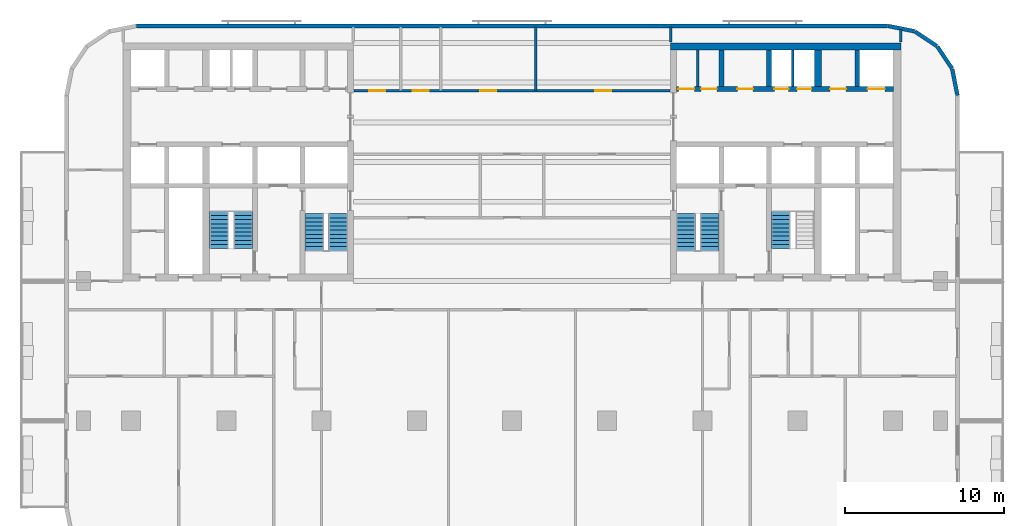
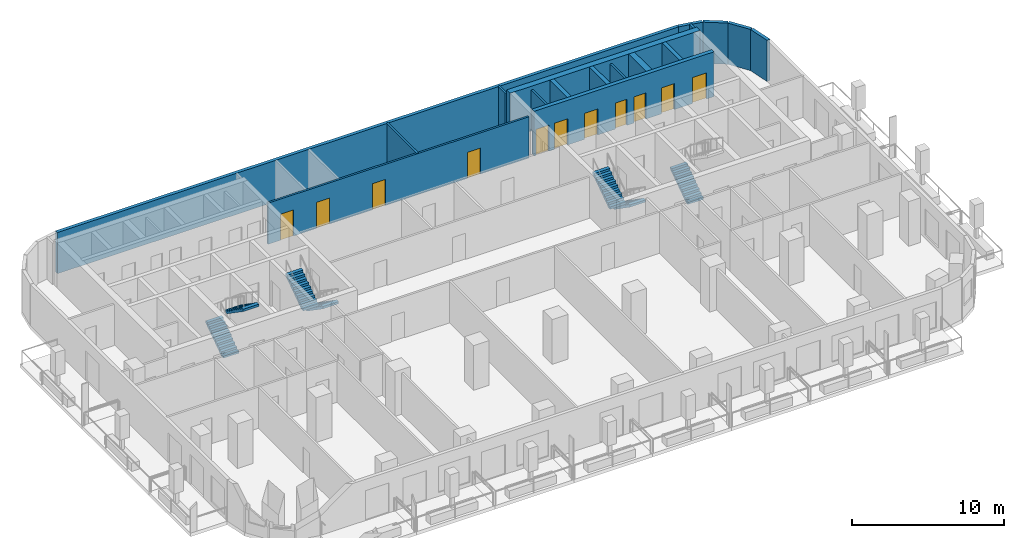
# One storey, part 7 of 11: 17 walls, 11 doors, 7 stair flights, 11 openings, 4 elements without a shape of their own.
"""IFC4 building model written with IfcOpenShell, lengths in metres."""

from ifc_helpers import new_model, si_unit, direction, frame, frame_2d, origin, place, context, subcontext, project, spatial, polyline, rectangle, outline, extrude, material, layer, layer_set, type_object, element, fill, aggregate, save


model = new_model("IFC4")

# Units and contexts
model_context = context("Model", 3, precision=1e-05, world=origin(), true_north=direction((0.0, 1.0)))
body_context = subcontext(model_context, "Body", "Model", "MODEL_VIEW")
ifc_project = project(units=[si_unit("LENGTHUNIT", "METRE"), si_unit("AREAUNIT", "SQUARE_METRE"), si_unit("VOLUMEUNIT", "CUBIC_METRE"), si_unit("PLANEANGLEUNIT", "RADIAN"), si_unit("MASSUNIT", "GRAM", prefix="KILO")], contexts=[model_context])

# Site, building, storey
site_placement = place(None, origin())
site = spatial("IfcSite", under=ifc_project, at=site_placement, CompositionType="ELEMENT")
building_placement = place(site_placement, origin())
building = spatial("IfcBuilding", under=site, at=building_placement, Name="Torana Hotel and Residences", CompositionType="ELEMENT")
storey_placement = place(building_placement, frame((0.0, 0.0, 152.39990234375)))
storey = spatial("IfcBuildingStorey", under=building, at=storey_placement, Name="L39", CompositionType="ELEMENT", Elevation=152.39990234375)

# Wall, openings, doors
ifc_material_1 = material(Name="Concrete C70/85", Category="concrete")
ifc_layer_1 = layer(ifc_material_1, 0.300048828125)
ifc_layer_set_1 = layer_set([ifc_layer_1], Name="CORE WALL 300 C70/85")
wall_type_1 = type_object("IfcWallType", Name="CORE WALL 300 C70/85", PredefinedType="SHEAR", material=ifc_layer_set_1)
wall_1_placement = place(storey_placement, frame((10.35009765625, -2.89990234375, 0.0), z_axis=(0.0, 0.0, 1.0), x_axis=(1.0, 0.0, 0.0)))
wall_1 = element("IfcWall", 1, at=wall_1_placement, inside=storey, type_object=wall_type_1, Name="Core wall E row-N", PredefinedType="SHEAR", context=body_context, shape_type="SweptSolid", body=[
    extrude(rectangle(XDim=13.699951171875, YDim=0.300048828125, at=frame_2d((6.85009765625, 0.0))), origin(), (0.0, 0.0, 1.0), 3.60009765625),
])
opening_1_placement = place(wall_1_placement, frame((12.050048828125, 0.0, 0.0)))
opening_1 = element("IfcOpeningElement", 2, at=opening_1_placement, cuts=wall_1, Name="Opening LD", PredefinedType="OPENING", context=body_context, shape_type="SweptSolid", body=[
    extrude(rectangle(XDim=1.10009765625, YDim=2.10009765625, at=frame_2d((0.550048828125, 1.050048828125))), frame((0.0, 0.159912109375, 0.0), z_axis=(0.0, -1.0, 0.0), x_axis=(1.0, 0.0, 0.0)), (0.0, 0.0, 1.0), 0.320068359375),
])
opening_2_placement = place(wall_1_placement, frame((6.1875, 0.0, 0.0)))
opening_2 = element("IfcOpeningElement", 3, at=opening_2_placement, cuts=wall_1, Name="Opening L39-23", PredefinedType="OPENING", context=body_context, shape_type="SweptSolid", body=[
    extrude(rectangle(XDim=0.89990234375, YDim=2.10009765625, at=frame_2d((0.449951171875, 1.050048828125))), frame((0.0, 0.159912109375, 0.0), z_axis=(0.0, -1.0, 0.0), x_axis=(1.0, 0.0, 0.0)), (0.0, 0.0, 1.0), 0.320068359375),
])
opening_3_placement = place(wall_1_placement, frame((7.612548828125, 0.0, 0.0)))
opening_3 = element("IfcOpeningElement", 4, at=opening_3_placement, cuts=wall_1, Name="Opening L39-24", PredefinedType="OPENING", context=body_context, shape_type="SweptSolid", body=[
    extrude(rectangle(XDim=0.89990234375, YDim=2.10009765625, at=frame_2d((0.449951171875, 1.050048828125))), frame((0.0, 0.159912109375, 0.0), z_axis=(0.0, -1.0, 0.0), x_axis=(1.0, 0.0, 0.0)), (0.0, 0.0, 1.0), 0.320068359375),
])
opening_4_placement = place(wall_1_placement, frame((0.137451171875, 0.0, 0.0)))
opening_4 = element("IfcOpeningElement", 5, at=opening_4_placement, cuts=wall_1, Name="Opening L39-25", PredefinedType="OPENING", context=body_context, shape_type="SweptSolid", body=[
    extrude(rectangle(XDim=1.0, YDim=2.10009765625, at=frame_2d((0.5, 1.050048828125))), frame((0.0, 0.159912109375, 0.0), z_axis=(0.0, -1.0, 0.0), x_axis=(1.0, 0.0, 0.0)), (0.0, 0.0, 1.0), 0.320068359375),
])
opening_5_placement = place(wall_1_placement, frame((1.5625, 0.0, 0.0)))
opening_5 = element("IfcOpeningElement", 6, at=opening_5_placement, cuts=wall_1, Name="Opening L39-26", PredefinedType="OPENING", context=body_context, shape_type="SweptSolid", body=[
    extrude(rectangle(XDim=1.0, YDim=2.10009765625, at=frame_2d((0.5, 1.050048828125))), frame((0.0, 0.159912109375, 0.0), z_axis=(0.0, -1.0, 0.0), x_axis=(1.0, 0.0, 0.0)), (0.0, 0.0, 1.0), 0.320068359375),
])
opening_6_placement = place(wall_1_placement, frame((3.85009765625, 0.0, 0.0)))
opening_6 = element("IfcOpeningElement", 7, at=opening_6_placement, cuts=wall_1, Name="Opening L39-27", PredefinedType="OPENING", context=body_context, shape_type="SweptSolid", body=[
    extrude(rectangle(XDim=1.0, YDim=2.10009765625, at=frame_2d((0.5, 1.050048828125))), frame((0.0, 0.159912109375, 0.0), z_axis=(0.0, -1.0, 0.0), x_axis=(1.0, 0.0, 0.0)), (0.0, 0.0, 1.0), 0.320068359375),
])
opening_7_placement = place(wall_1_placement, frame((9.699951171875, 0.0, 0.0)))
opening_7 = element("IfcOpeningElement", 8, at=opening_7_placement, cuts=wall_1, Name="Opening L39-28", PredefinedType="OPENING", context=body_context, shape_type="SweptSolid", body=[
    extrude(rectangle(XDim=1.0, YDim=2.10009765625, at=frame_2d((0.5, 1.050048828125))), frame((0.0, 0.159912109375, 0.0), z_axis=(0.0, -1.0, 0.0), x_axis=(1.0, 0.0, 0.0)), (0.0, 0.0, 1.0), 0.320068359375),
])
ifc_material_2 = material(Name="Steel S235", Category="steel")
door_type_1 = type_object("IfcDoorType", Name="CORE ROOM FIRE DOOR D14 1000x2100", OperationType="SINGLE_SWING_LEFT", PredefinedType="DOOR", material=ifc_material_2)
door_1_placement = place(opening_4_placement, origin())
door_1 = element("IfcDoor", 9, at=door_1_placement, inside=storey, type_object=door_type_1, Name="N0A door L39", OperationType="SINGLE_SWING_RIGHT", OverallHeight=2.10009765625, OverallWidth=1.0, PredefinedType="DOOR", context=body_context, shape_type="SweptSolid", body=[
    extrude(rectangle(XDim=1.0, YDim=2.10009765625, at=frame_2d((0.5, 1.050048828125))), frame((0.0, 0.02490234375, 0.0), z_axis=(0.0, -1.0, 0.0), x_axis=(1.0, 0.0, 0.0)), (0.0, 0.0, 1.0), 0.050048828125),
])
fill(opening_4, door_1)
door_2_placement = place(opening_5_placement, origin())
door_2 = element("IfcDoor", 10, at=door_2_placement, inside=storey, type_object=door_type_1, Name="N0B door L39", OperationType="SINGLE_SWING_RIGHT", OverallHeight=2.10009765625, OverallWidth=1.0, PredefinedType="DOOR", context=body_context, shape_type="SweptSolid", body=[
    extrude(rectangle(XDim=1.0, YDim=2.10009765625, at=frame_2d((0.5, 1.050048828125))), frame((0.0, 0.02490234375, 0.0), z_axis=(0.0, -1.0, 0.0), x_axis=(1.0, 0.0, 0.0)), (0.0, 0.0, 1.0), 0.050048828125),
])
fill(opening_5, door_2)
door_3_placement = place(opening_6_placement, origin())
door_3 = element("IfcDoor", 11, at=door_3_placement, inside=storey, type_object=door_type_1, Name="N1 door L39", OperationType="SINGLE_SWING_RIGHT", OverallHeight=2.10009765625, OverallWidth=1.0, PredefinedType="DOOR", context=body_context, shape_type="SweptSolid", body=[
    extrude(rectangle(XDim=1.0, YDim=2.10009765625, at=frame_2d((0.5, 1.050048828125))), frame((0.0, 0.02490234375, 0.0), z_axis=(0.0, -1.0, 0.0), x_axis=(1.0, 0.0, 0.0)), (0.0, 0.0, 1.0), 0.050048828125),
])
fill(opening_6, door_3)
door_4_placement = place(opening_7_placement, origin())
door_4 = element("IfcDoor", 12, at=door_4_placement, inside=storey, type_object=door_type_1, Name="Freed-S2 door L39", OperationType="SINGLE_SWING_RIGHT", OverallHeight=2.10009765625, OverallWidth=1.0, PredefinedType="DOOR", context=body_context, shape_type="SweptSolid", body=[
    extrude(rectangle(XDim=1.0, YDim=2.10009765625, at=frame_2d((0.5, 1.050048828125))), frame((0.0, 0.02490234375, 0.0), z_axis=(0.0, -1.0, 0.0), x_axis=(1.0, 0.0, 0.0)), (0.0, 0.0, 1.0), 0.050048828125),
])
fill(opening_7, door_4)
ifc_material_3 = material(Name="Stainless steel 316", Category="steel")
door_type_2 = type_object("IfcDoorType", Name="LIFT LANDING DOOR LD 1100x2100", OperationType="DOUBLE_DOOR_SLIDING", PredefinedType="USERDEFINED", material=ifc_material_3)
door_5_placement = place(opening_1_placement, origin())
door_5 = element("IfcDoor", 13, at=door_5_placement, inside=storey, type_object=door_type_2, Name="Lift landing door M3 L39", ObjectType="LIFT LANDING DOOR", OperationType="DOUBLE_DOOR_SLIDING", OverallHeight=2.10009765625, OverallWidth=1.10009765625, PredefinedType="USERDEFINED", context=body_context, shape_type="SweptSolid", body=[
    extrude(rectangle(XDim=1.10009765625, YDim=2.10009765625, at=frame_2d((0.550048828125, 1.050048828125))), frame((0.0, 0.02490234375, 0.0), z_axis=(0.0, -1.0, 0.0), x_axis=(1.0, 0.0, 0.0)), (0.0, 0.0, 1.0), 0.050048828125),
])
fill(opening_1, door_5)
ifc_material_4 = material(Name="Steel S235", Category="steel")
door_type_3 = type_object("IfcDoorType", Name="RISER ACCESS DOOR D5 900x2100", OperationType="SINGLE_SWING_LEFT", PredefinedType="DOOR", material=ifc_material_4)
door_6_placement = place(opening_2_placement, origin())
door_6 = element("IfcDoor", 14, at=door_6_placement, inside=storey, type_object=door_type_3, Name="N2A door L39", OperationType="SINGLE_SWING_RIGHT", OverallHeight=2.10009765625, OverallWidth=0.89990234375, PredefinedType="DOOR", context=body_context, shape_type="SweptSolid", body=[
    extrude(rectangle(XDim=0.89990234375, YDim=2.10009765625, at=frame_2d((0.449951171875, 1.050048828125))), frame((0.0, 0.02490234375, 0.0), z_axis=(0.0, -1.0, 0.0), x_axis=(1.0, 0.0, 0.0)), (0.0, 0.0, 1.0), 0.050048828125),
])
fill(opening_2, door_6)
door_7_placement = place(opening_3_placement, origin())
door_7 = element("IfcDoor", 15, at=door_7_placement, inside=storey, type_object=door_type_3, Name="N2B door L39", OperationType="SINGLE_SWING_RIGHT", OverallHeight=2.10009765625, OverallWidth=0.89990234375, PredefinedType="DOOR", context=body_context, shape_type="SweptSolid", body=[
    extrude(rectangle(XDim=0.89990234375, YDim=2.10009765625, at=frame_2d((0.449951171875, 1.050048828125))), frame((0.0, 0.02490234375, 0.0), z_axis=(0.0, -1.0, 0.0), x_axis=(1.0, 0.0, 0.0)), (0.0, 0.0, 1.0), 0.050048828125),
])
fill(opening_3, door_7)

# Walls
for number, where, z_axis, x_axis, name in (
    (16, (13.199951171875, -2.75, 0.0), (0.0, 0.0, 1.0), (0.0, 1.0, 0.0), "Core wall E x3.05-N"),
    (17, (16.199951171875, -2.75, 0.0), (0.0, 0.0, 1.0), (0.0, 1.0, 0.0), "Core wall E x6.05-N"),
    (18, (21.75, -2.75, 0.0), (0.0, 0.0, 1.0), (0.0, 1.0, 0.0), "Core wall E mm-N"),
):
    element("IfcWall", number, at=place(storey_placement, frame(where, z_axis=z_axis, x_axis=x_axis)), inside=storey, type_object=wall_type_1, Name=name, PredefinedType="SHEAR", context=body_context, shape_type="SweptSolid", body=[
        extrude(rectangle(XDim=2.300048828125, YDim=0.300048828125, at=frame_2d((1.14990234375, 0.0))), origin(), (0.0, 0.0, 1.0), 3.60009765625),
    ])
ifc_material_5 = material(Name="Concrete C70/85", Category="concrete")
ifc_layer_2 = layer(ifc_material_5, 0.449951171875)
ifc_layer_set_2 = layer_set([ifc_layer_2], Name="CORE WALL 450 C70/85")
wall_type_2 = type_object("IfcWallType", Name="CORE WALL 450 C70/85", PredefinedType="SHEAR", material=ifc_layer_set_2)
wall_2_placement = place(storey_placement, frame((10.0, -0.22509765625, 0.0), z_axis=(0.0, 0.0, 1.0), x_axis=(1.0, 0.0, 0.0)))
element("IfcWall", 19, at=wall_2_placement, inside=storey, type_object=wall_type_2, Name="Core wall E rear", PredefinedType="SHEAR", context=body_context, shape_type="SweptSolid", body=[
    extrude(rectangle(XDim=14.5, YDim=0.449951171875, at=frame_2d((7.25, 0.0))), origin(), (0.0, 0.0, 1.0), 3.60009765625),
])
wall_3_placement = place(storey_placement, frame((19.27490234375, -2.75, 0.0), z_axis=(0.0, 0.0, 1.0), x_axis=(0.0, 1.0, 0.0)))
element("IfcWall", 20, at=wall_3_placement, inside=storey, type_object=wall_type_2, Name="Core wall E hm-N", PredefinedType="SHEAR", context=body_context, shape_type="SweptSolid", body=[
    extrude(rectangle(XDim=2.300048828125, YDim=0.449951171875, at=frame_2d((1.14990234375, 0.0))), origin(), (0.0, 0.0, 1.0), 3.60009765625),
])
ifc_material_6 = material(Name="Black aluminium composite panel", Category="aluminium")
ifc_layer_3 = layer(ifc_material_6, 0.00390625, Name="Cladding", Category="cladding")
ifc_material_7 = material(Name="Ventilated air cavity")
ifc_layer_4 = layer(ifc_material_7, 0.0400390625, Name="Ventilated cavity", Category="cavity")
ifc_material_8 = material(Name="Mineral wool insulation")
ifc_layer_5 = layer(ifc_material_8, 0.090087890625, Name="Insulation", Category="insulation")
ifc_material_9 = material(Name="Steel S280GD", Category="steel")
ifc_layer_6 = layer(ifc_material_9, 0.092041015625, Name="Steel stud frame", Category="structure")
ifc_material_10 = material(Name="Fire rated plasterboard")
ifc_layer_7 = layer(ifc_material_10, 0.011962890625, Name="Inner board", Category="finish")
ifc_layer_8 = layer(ifc_material_10, 0.011962890625, Name="Second board", Category="finish")
ifc_layer_set_3 = layer_set([ifc_layer_3, ifc_layer_4, ifc_layer_5, ifc_layer_6, ifc_layer_7, ifc_layer_8], Name="EW1 EXTERNAL WALL BLACK METAL CLAD 250")
wall_type_3 = type_object("IfcWallType", Name="EW1 EXTERNAL WALL BLACK METAL CLAD 250", PredefinedType="SOLIDWALL", material=ifc_layer_set_3)
wall_4_placement = place(storey_placement, frame((28.072509765625, -3.30029296875, 0.0), z_axis=(0.0, 0.0, 1.0), x_axis=(-0.194999110559, 0.980803419081, 0.0)))
element("IfcWall", 21, at=wall_4_placement, inside=storey, type_object=wall_type_3, Name="External wall L39 e0.0", PredefinedType="SOLIDWALL", context=body_context, shape_type="SweptSolid", body=[
    extrude(rectangle(XDim=1.681396484375, YDim=0.25, at=frame_2d((0.8408203125, 0.0))), origin(), (0.0, 0.0, 1.0), 3.320068359375),
])
for number, where, z_axis, x_axis, name in (
    (22, (27.725830078125, -1.60595703125, 0.0), (0.0, 0.0, 1.0), (-0.55555029066, 0.831482937015, 0.0), "External wall L39 e0.1"),
    (23, (26.771240234375, -0.1943359375, 0.0), (0.0, 0.0, 1.0), (-0.831482937015, 0.55555029066, 0.0), "External wall L39 e0.2"),
):
    element("IfcWall", number, at=place(storey_placement, frame(where, z_axis=z_axis, x_axis=x_axis)), inside=storey, type_object=wall_type_3, Name=name, PredefinedType="SOLIDWALL", context=body_context, shape_type="SweptSolid", body=[
        extrude(rectangle(XDim=1.65625, YDim=0.25, at=frame_2d((0.828125, 0.0))), origin(), (0.0, 0.0, 1.0), 3.320068359375),
    ])
wall_5_placement = place(storey_placement, frame((25.348876953125, 0.74462890625, 0.0), z_axis=(0.0, 0.0, 1.0), x_axis=(-0.980803419081, 0.194999110559, 0.0)))
element("IfcWall", 24, at=wall_5_placement, inside=storey, type_object=wall_type_3, Name="External wall L39 e0.3", PredefinedType="SOLIDWALL", context=body_context, shape_type="SweptSolid", body=[
    extrude(rectangle(XDim=1.681396484375, YDim=0.25, at=frame_2d((0.8408203125, 0.0))), origin(), (0.0, 0.0, 1.0), 3.320068359375),
])
ifc_material_11 = material(Name="Concrete C40/50 precast", Category="concrete")
ifc_layer_9 = layer(ifc_material_11, 0.10009765625, Name="Perforated block", Category="cladding")
ifc_material_12 = material(Name="Air cavity")
ifc_layer_10 = layer(ifc_material_12, 0.030029296875, Name="Cavity", Category="cavity")
ifc_material_13 = material(Name="Concrete C40/50", Category="concrete")
ifc_layer_11 = layer(ifc_material_13, 0.10009765625, Name="Wall", Category="structure")
ifc_material_14 = material(Name="Plaster and paint")
ifc_layer_12 = layer(ifc_material_14, 0.02001953125, Name="Inner finish", Category="finish")
ifc_layer_set_4 = layer_set([ifc_layer_9, ifc_layer_10, ifc_layer_11, ifc_layer_12], Name="EW2 PERFORATED BLOCK SCREEN WALL 250")
wall_type_4 = type_object("IfcWallType", Name="EW2 PERFORATED BLOCK SCREEN WALL 250", PredefinedType="SOLIDWALL", material=ifc_layer_set_4)
wall_6_placement = place(storey_placement, frame((23.67529296875, 1.074951171875, 0.0), z_axis=(0.0, 0.0, 1.0), x_axis=(-1.0, 0.0, 0.0)))
element("IfcWall", 25, at=wall_6_placement, inside=storey, type_object=wall_type_4, Name="External wall L39 e0.4", PredefinedType="SOLIDWALL", context=body_context, shape_type="SweptSolid", body=[
    extrude(rectangle(XDim=47.3505859375, YDim=0.25, at=frame_2d((23.67529296875, 0.0))), origin(), (0.0, 0.0, 1.0), 3.320068359375),
])
ifc_material_15 = material(Name="Gypsum plaster")
ifc_layer_13 = layer(ifc_material_15, 0.014892578125, Name="Plaster", Category="finish")
ifc_material_16 = material(Name="Concrete blockwork", Category="masonry")
ifc_layer_14 = layer(ifc_material_16, 0.1201171875, Name="Blockwork", Category="structure")
ifc_layer_15 = layer(ifc_material_15, 0.014892578125, Name="Plaster", Category="finish")
ifc_layer_set_5 = layer_set([ifc_layer_13, ifc_layer_14, ifc_layer_15], Name="FIRE PARTITION 150 BLOCKWORK")
wall_type_5 = type_object("IfcWallType", Name="FIRE PARTITION 150 BLOCKWORK", PredefinedType="PARTITIONING", material=ifc_layer_set_5)
for number, where, z_axis, x_axis, name in (
    (26, (17.699951171875, -2.75, 0.0), (0.0, 0.0, 1.0), (0.0, 1.0, 0.0), "Core partition L39"),
    (27, (11.699951171875, -2.75, 0.0), (0.0, 0.0, 1.0), (0.0, 1.0, 0.0), "Core partition L39"),
):
    element("IfcWall", number, at=place(storey_placement, frame(where, z_axis=z_axis, x_axis=x_axis)), inside=storey, type_object=wall_type_5, Name=name, PredefinedType="PARTITIONING", context=body_context, shape_type="SweptSolid", body=[
        extrude(rectangle(XDim=2.300048828125, YDim=0.14990234375, at=frame_2d((1.14990234375, 0.0))), origin(), (0.0, 0.0, 1.0), 3.300048828125),
    ])

# Wall, openings, doors
wall_7_placement = place(storey_placement, frame((-9.949951171875, -3.0, 0.0), z_axis=(0.0, 0.0, 1.0), x_axis=(1.0, 0.0, 0.0)))
wall_7 = element("IfcWall", 28, at=wall_7_placement, inside=storey, type_object=wall_type_5, Name="Partition L39", PredefinedType="PARTITIONING", context=body_context, shape_type="SweptSolid", body=[
    extrude(rectangle(XDim=19.89990234375, YDim=0.14990234375, at=frame_2d((9.949951171875, 0.0))), origin(), (0.0, 0.0, 1.0), 3.320068359375),
])
opening_8_placement = place(wall_7_placement, frame((0.949951171875, 0.0, 0.0)))
opening_8 = element("IfcOpeningElement", 29, at=opening_8_placement, cuts=wall_7, Name="Opening L39-48", PredefinedType="OPENING", context=body_context, shape_type="SweptSolid", body=[
    extrude(rectangle(XDim=1.0, YDim=2.10009765625, at=frame_2d((0.5, 1.050048828125))), frame((0.0, 0.0849609375, 0.0), z_axis=(0.0, -1.0, 0.0), x_axis=(1.0, 0.0, 0.0)), (0.0, 0.0, 1.0), 0.169921875),
])
opening_9_placement = place(wall_7_placement, frame((3.699951171875, 0.0, 0.0)))
opening_9 = element("IfcOpeningElement", 30, at=opening_9_placement, cuts=wall_7, Name="Opening L39-49", PredefinedType="OPENING", context=body_context, shape_type="SweptSolid", body=[
    extrude(rectangle(XDim=1.0, YDim=2.10009765625, at=frame_2d((0.5, 1.050048828125))), frame((0.0, 0.0849609375, 0.0), z_axis=(0.0, -1.0, 0.0), x_axis=(1.0, 0.0, 0.0)), (0.0, 0.0, 1.0), 0.169921875),
])
opening_10_placement = place(wall_7_placement, frame((7.949951171875, 0.0, 0.0)))
opening_10 = element("IfcOpeningElement", 31, at=opening_10_placement, cuts=wall_7, Name="Opening L39-50", PredefinedType="OPENING", context=body_context, shape_type="SweptSolid", body=[
    extrude(rectangle(XDim=1.0, YDim=2.10009765625, at=frame_2d((0.5, 1.050048828125))), frame((0.0, 0.0849609375, 0.0), z_axis=(0.0, -1.0, 0.0), x_axis=(1.0, 0.0, 0.0)), (0.0, 0.0, 1.0), 0.169921875),
])
opening_11_placement = place(wall_7_placement, frame((15.199951171875, 0.0, 0.0)))
opening_11 = element("IfcOpeningElement", 32, at=opening_11_placement, cuts=wall_7, Name="Opening L39-51", PredefinedType="OPENING", context=body_context, shape_type="SweptSolid", body=[
    extrude(rectangle(XDim=1.0, YDim=2.10009765625, at=frame_2d((0.5, 1.050048828125))), frame((0.0, 0.0849609375, 0.0), z_axis=(0.0, -1.0, 0.0), x_axis=(1.0, 0.0, 0.0)), (0.0, 0.0, 1.0), 0.169921875),
])
ifc_material_17 = material(Name="Steel S235", Category="steel")
door_type_4 = type_object("IfcDoorType", Name="ENTRY FIRE DOOR D6 1000x2100", OperationType="SINGLE_SWING_LEFT", PredefinedType="DOOR", material=ifc_material_17)
door_8_placement = place(opening_8_placement, origin())
door_8 = element("IfcDoor", 33, at=door_8_placement, inside=storey, type_object=door_type_4, Name="Door L39", OperationType="SINGLE_SWING_RIGHT", OverallHeight=2.10009765625, OverallWidth=1.0, PredefinedType="DOOR", context=body_context, shape_type="SweptSolid", body=[
    extrude(rectangle(XDim=1.0, YDim=2.10009765625, at=frame_2d((0.5, 1.050048828125))), frame((0.0, 0.02490234375, 0.0), z_axis=(0.0, -1.0, 0.0), x_axis=(1.0, 0.0, 0.0)), (0.0, 0.0, 1.0), 0.050048828125),
])
fill(opening_8, door_8)
door_9_placement = place(opening_9_placement, origin())
door_9 = element("IfcDoor", 34, at=door_9_placement, inside=storey, type_object=door_type_4, Name="Door L39", OperationType="SINGLE_SWING_RIGHT", OverallHeight=2.10009765625, OverallWidth=1.0, PredefinedType="DOOR", context=body_context, shape_type="SweptSolid", body=[
    extrude(rectangle(XDim=1.0, YDim=2.10009765625, at=frame_2d((0.5, 1.050048828125))), frame((0.0, 0.02490234375, 0.0), z_axis=(0.0, -1.0, 0.0), x_axis=(1.0, 0.0, 0.0)), (0.0, 0.0, 1.0), 0.050048828125),
])
fill(opening_9, door_9)
door_10_placement = place(opening_10_placement, origin())
door_10 = element("IfcDoor", 35, at=door_10_placement, inside=storey, type_object=door_type_4, Name="Door L39", OperationType="SINGLE_SWING_RIGHT", OverallHeight=2.10009765625, OverallWidth=1.0, PredefinedType="DOOR", context=body_context, shape_type="SweptSolid", body=[
    extrude(rectangle(XDim=1.0, YDim=2.10009765625, at=frame_2d((0.5, 1.050048828125))), frame((0.0, 0.02490234375, 0.0), z_axis=(0.0, -1.0, 0.0), x_axis=(1.0, 0.0, 0.0)), (0.0, 0.0, 1.0), 0.050048828125),
])
fill(opening_10, door_10)
door_11_placement = place(opening_11_placement, origin())
door_11 = element("IfcDoor", 36, at=door_11_placement, inside=storey, type_object=door_type_4, Name="Door L39", OperationType="SINGLE_SWING_RIGHT", OverallHeight=2.10009765625, OverallWidth=1.0, PredefinedType="DOOR", context=body_context, shape_type="SweptSolid", body=[
    extrude(rectangle(XDim=1.0, YDim=2.10009765625, at=frame_2d((0.5, 1.050048828125))), frame((0.0, 0.02490234375, 0.0), z_axis=(0.0, -1.0, 0.0), x_axis=(1.0, 0.0, 0.0)), (0.0, 0.0, 1.0), 0.050048828125),
])
fill(opening_11, door_11)

# Walls
ifc_material_18 = material(Name="Gypsum plasterboard")
ifc_layer_16 = layer(ifc_material_18, 0.012451171875, Name="Plasterboard", Category="finish")
ifc_layer_17 = layer(ifc_material_18, 0.012451171875, Name="Plasterboard", Category="finish")
ifc_layer_18 = layer(ifc_material_9, 0.10009765625, Name="Steel studs with mineral wool", Category="insulation")
ifc_layer_19 = layer(ifc_material_18, 0.012451171875, Name="Plasterboard", Category="finish")
ifc_layer_20 = layer(ifc_material_18, 0.012451171875, Name="Plasterboard", Category="finish")
ifc_layer_set_6 = layer_set([ifc_layer_16, ifc_layer_17, ifc_layer_18, ifc_layer_19, ifc_layer_20], Name="PARTITION 150 PLASTERBOARD")
wall_type_6 = type_object("IfcWallType", Name="PARTITION 150 PLASTERBOARD", PredefinedType="PARTITIONING", material=ifc_layer_set_6)
wall_8_placement = place(storey_placement, frame((24.5, 0.050048828125, 0.0), z_axis=(0.0, 0.0, 1.0), x_axis=(0.0, 1.0, 0.0)))
element("IfcWall", 37, at=wall_8_placement, inside=storey, type_object=wall_type_6, Name="Partition L39", PredefinedType="PARTITIONING", context=body_context, shape_type="SweptSolid", body=[
    extrude(rectangle(XDim=0.807373046875, YDim=0.14990234375, at=frame_2d((0.40380859375, 0.0))), origin(), (0.0, 0.0, 1.0), 3.320068359375),
])
wall_9_placement = place(storey_placement, frame((10.0, 0.050048828125, 0.0), z_axis=(0.0, 0.0, 1.0), x_axis=(0.0, 1.0, 0.0)))
element("IfcWall", 38, at=wall_9_placement, inside=storey, type_object=wall_type_6, Name="Partition L39", PredefinedType="PARTITIONING", context=body_context, shape_type="SweptSolid", body=[
    extrude(rectangle(XDim=0.969970703125, YDim=0.14990234375, at=frame_2d((0.48486328125, 0.0))), origin(), (0.0, 0.0, 1.0), 3.320068359375),
])
wall_10_placement = place(storey_placement, frame((1.5, -3.0, 0.0), z_axis=(0.0, 0.0, 1.0), x_axis=(0.0, 1.0, 0.0)))
element("IfcWall", 39, at=wall_10_placement, inside=storey, type_object=wall_type_6, Name="Partition L39", PredefinedType="PARTITIONING", context=body_context, shape_type="SweptSolid", body=[
    extrude(rectangle(XDim=4.02001953125, YDim=0.14990234375, at=frame_2d((2.010009765625, 0.0))), origin(), (0.0, 0.0, 1.0), 3.320068359375),
])

# Stair, stair flights
ifc_material_19 = material(Name="Concrete C40/50 precast", Category="concrete")
stair_type_1 = type_object("IfcStairType", Name="STAIR ST1 HALF TURN 1200", PredefinedType="HALF_TURN_STAIR", material=ifc_material_19)
stair_1_placement = place(storey_placement, origin())
stair_1 = element("IfcStair", 40, at=stair_1_placement, inside=storey, type_object=stair_type_1, Name="Stair ST1 L39", PredefinedType="HALF_TURN_STAIR")
ifc_material_20 = material(Name="Concrete C40/50 precast", Category="concrete")
stair_flight_type = type_object("IfcStairFlightType", Name="STAIR FLIGHT 1200 PRECAST", PredefinedType="STRAIGHT", material=ifc_material_20)
stair_flight_1_placement = place(storey_placement, frame((-10.949951171875, -10.75, 0.0), z_axis=(0.0, 0.0, 1.0), x_axis=(0.0, -1.0, 0.0)))
stair_flight_1 = element("IfcStairFlight", 41, at=stair_flight_1_placement, type_object=stair_flight_type, Name="ST1 flight 1", NumberOfRisers=10, NumberOfTreads=9, PredefinedType="STRAIGHT", RiserHeight=0.18, TreadLength=0.26, context=body_context, shape_type="SweptSolid", body=[
    extrude(outline(polyline([(0.0, 0.0), (0.0, 0.179931640625), (0.260009765625, 0.179931640625), (0.260009765625, 0.360107421875), (0.52001953125, 0.360107421875), (0.52001953125, 0.5400390625), (0.780029296875, 0.5400390625), (0.780029296875, 0.719970703125), (1.0400390625, 0.719970703125), (1.0400390625, 0.89990234375), (1.300048828125, 0.89990234375), (1.300048828125, 1.080078125), (1.56005859375, 1.080078125), (1.56005859375, 1.260009765625), (1.820068359375, 1.260009765625), (1.820068359375, 1.43994140625), (2.080078125, 1.43994140625), (2.080078125, 1.6201171875), (2.340087890625, 1.6201171875), (2.340087890625, 1.800048828125), (2.340087890625, 1.437744140625), (0.263427734375, 0.0), (0.0, 0.0)])), frame((0.0, 0.60009765625, 0.0), z_axis=(0.0, -1.0, 0.0), x_axis=(1.0, 0.0, 0.0)), (0.0, 0.0, 1.0), 1.199951171875),
])
stair_flight_2_placement = place(storey_placement, frame((-12.449951171875, -13.090087890625, 1.800048828125), z_axis=(0.0, 0.0, 1.0), x_axis=(0.0, 1.0, 0.0)))
stair_flight_2 = element("IfcStairFlight", 42, at=stair_flight_2_placement, type_object=stair_flight_type, Name="ST1 flight 2", NumberOfRisers=10, NumberOfTreads=9, PredefinedType="STRAIGHT", RiserHeight=0.18, TreadLength=0.26, context=body_context, shape_type="SweptSolid", body=[
    extrude(outline(polyline([(0.0, 0.0), (0.0, 0.179931640625), (0.260009765625, 0.179931640625), (0.260009765625, 0.360107421875), (0.52001953125, 0.360107421875), (0.52001953125, 0.5400390625), (0.780029296875, 0.5400390625), (0.780029296875, 0.719970703125), (1.0400390625, 0.719970703125), (1.0400390625, 0.89990234375), (1.300048828125, 0.89990234375), (1.300048828125, 1.080078125), (1.56005859375, 1.080078125), (1.56005859375, 1.260009765625), (1.820068359375, 1.260009765625), (1.820068359375, 1.43994140625), (2.080078125, 1.43994140625), (2.080078125, 1.6201171875), (2.340087890625, 1.6201171875), (2.340087890625, 1.800048828125), (2.340087890625, 1.437744140625), (0.263427734375, 0.0), (0.0, 0.0)])), frame((0.0, 0.60009765625, 0.0), z_axis=(0.0, -1.0, 0.0), x_axis=(1.0, 0.0, 0.0)), (0.0, 0.0, 1.0), 1.199951171875),
])
aggregate(stair_1, [stair_flight_1, stair_flight_2])

ifc_material_21 = material(Name="Concrete C40/50 precast", Category="concrete")
stair_type_2 = type_object("IfcStairType", Name="STAIR ST2 HALF TURN 1200", PredefinedType="HALF_TURN_STAIR", material=ifc_material_21)
stair_2_placement = place(storey_placement, origin())
stair_2 = element("IfcStair", 43, at=stair_2_placement, inside=storey, type_object=stair_type_2, Name="Stair ST2 L39", PredefinedType="HALF_TURN_STAIR")
stair_flight_3_placement = place(storey_placement, frame((-18.449951171875, -12.949951171875, 0.0), z_axis=(0.0, 0.0, 1.0), x_axis=(0.0, 1.0, 0.0)))
stair_flight_3 = element("IfcStairFlight", 44, at=stair_flight_3_placement, type_object=stair_flight_type, Name="ST2 flight 1", NumberOfRisers=10, NumberOfTreads=9, PredefinedType="STRAIGHT", RiserHeight=0.18, TreadLength=0.26, context=body_context, shape_type="SweptSolid", body=[
    extrude(outline(polyline([(0.0, 0.0), (0.0, 0.179931640625), (0.260009765625, 0.179931640625), (0.260009765625, 0.360107421875), (0.52001953125, 0.360107421875), (0.52001953125, 0.5400390625), (0.780029296875, 0.5400390625), (0.780029296875, 0.719970703125), (1.0400390625, 0.719970703125), (1.0400390625, 0.89990234375), (1.300048828125, 0.89990234375), (1.300048828125, 1.080078125), (1.56005859375, 1.080078125), (1.56005859375, 1.260009765625), (1.820068359375, 1.260009765625), (1.820068359375, 1.43994140625), (2.080078125, 1.43994140625), (2.080078125, 1.6201171875), (2.340087890625, 1.6201171875), (2.340087890625, 1.800048828125), (2.340087890625, 1.437744140625), (0.263427734375, 0.0), (0.0, 0.0)])), frame((0.0, 0.60009765625, 0.0), z_axis=(0.0, -1.0, 0.0), x_axis=(1.0, 0.0, 0.0)), (0.0, 0.0, 1.0), 1.199951171875),
])
stair_flight_4_placement = place(storey_placement, frame((-16.949951171875, -10.610107421875, 1.800048828125), z_axis=(0.0, 0.0, 1.0), x_axis=(0.0, -1.0, 0.0)))
stair_flight_4 = element("IfcStairFlight", 45, at=stair_flight_4_placement, type_object=stair_flight_type, Name="ST2 flight 2", NumberOfRisers=10, NumberOfTreads=9, PredefinedType="STRAIGHT", RiserHeight=0.18, TreadLength=0.26, context=body_context, shape_type="SweptSolid", body=[
    extrude(outline(polyline([(0.0, 0.0), (0.0, 0.179931640625), (0.260009765625, 0.179931640625), (0.260009765625, 0.360107421875), (0.52001953125, 0.360107421875), (0.52001953125, 0.5400390625), (0.780029296875, 0.5400390625), (0.780029296875, 0.719970703125), (1.0400390625, 0.719970703125), (1.0400390625, 0.89990234375), (1.300048828125, 0.89990234375), (1.300048828125, 1.080078125), (1.56005859375, 1.080078125), (1.56005859375, 1.260009765625), (1.820068359375, 1.260009765625), (1.820068359375, 1.43994140625), (2.080078125, 1.43994140625), (2.080078125, 1.6201171875), (2.340087890625, 1.6201171875), (2.340087890625, 1.800048828125), (2.340087890625, 1.437744140625), (0.263427734375, 0.0), (0.0, 0.0)])), frame((0.0, 0.60009765625, 0.0), z_axis=(0.0, -1.0, 0.0), x_axis=(1.0, 0.0, 0.0)), (0.0, 0.0, 1.0), 1.199951171875),
])
aggregate(stair_2, [stair_flight_3, stair_flight_4])

ifc_material_22 = material(Name="Concrete C40/50 precast", Category="concrete")
stair_type_3 = type_object("IfcStairType", Name="STAIR ST3 HALF TURN 1200", PredefinedType="HALF_TURN_STAIR", material=ifc_material_22)
stair_3_placement = place(storey_placement, origin())
stair_3 = element("IfcStair", 46, at=stair_3_placement, inside=storey, type_object=stair_type_3, Name="Stair ST3 L39", PredefinedType="HALF_TURN_STAIR")
stair_flight_5_placement = place(storey_placement, frame((12.449951171875, -10.75, 0.0), z_axis=(0.0, 0.0, 1.0), x_axis=(0.0, -1.0, 0.0)))
stair_flight_5 = element("IfcStairFlight", 47, at=stair_flight_5_placement, type_object=stair_flight_type, Name="ST3 flight 1", NumberOfRisers=10, NumberOfTreads=9, PredefinedType="STRAIGHT", RiserHeight=0.18, TreadLength=0.26, context=body_context, shape_type="SweptSolid", body=[
    extrude(outline(polyline([(0.0, 0.0), (0.0, 0.179931640625), (0.260009765625, 0.179931640625), (0.260009765625, 0.360107421875), (0.52001953125, 0.360107421875), (0.52001953125, 0.5400390625), (0.780029296875, 0.5400390625), (0.780029296875, 0.719970703125), (1.0400390625, 0.719970703125), (1.0400390625, 0.89990234375), (1.300048828125, 0.89990234375), (1.300048828125, 1.080078125), (1.56005859375, 1.080078125), (1.56005859375, 1.260009765625), (1.820068359375, 1.260009765625), (1.820068359375, 1.43994140625), (2.080078125, 1.43994140625), (2.080078125, 1.6201171875), (2.340087890625, 1.6201171875), (2.340087890625, 1.800048828125), (2.340087890625, 1.437744140625), (0.263427734375, 0.0), (0.0, 0.0)])), frame((0.0, 0.60009765625, 0.0), z_axis=(0.0, -1.0, 0.0), x_axis=(1.0, 0.0, 0.0)), (0.0, 0.0, 1.0), 1.199951171875),
])
stair_flight_6_placement = place(storey_placement, frame((10.949951171875, -13.090087890625, 1.800048828125), z_axis=(0.0, 0.0, 1.0), x_axis=(0.0, 1.0, 0.0)))
stair_flight_6 = element("IfcStairFlight", 48, at=stair_flight_6_placement, type_object=stair_flight_type, Name="ST3 flight 2", NumberOfRisers=10, NumberOfTreads=9, PredefinedType="STRAIGHT", RiserHeight=0.18, TreadLength=0.26, context=body_context, shape_type="SweptSolid", body=[
    extrude(outline(polyline([(0.0, 0.0), (0.0, 0.179931640625), (0.260009765625, 0.179931640625), (0.260009765625, 0.360107421875), (0.52001953125, 0.360107421875), (0.52001953125, 0.5400390625), (0.780029296875, 0.5400390625), (0.780029296875, 0.719970703125), (1.0400390625, 0.719970703125), (1.0400390625, 0.89990234375), (1.300048828125, 0.89990234375), (1.300048828125, 1.080078125), (1.56005859375, 1.080078125), (1.56005859375, 1.260009765625), (1.820068359375, 1.260009765625), (1.820068359375, 1.43994140625), (2.080078125, 1.43994140625), (2.080078125, 1.6201171875), (2.340087890625, 1.6201171875), (2.340087890625, 1.800048828125), (2.340087890625, 1.437744140625), (0.263427734375, 0.0), (0.0, 0.0)])), frame((0.0, 0.60009765625, 0.0), z_axis=(0.0, -1.0, 0.0), x_axis=(1.0, 0.0, 0.0)), (0.0, 0.0, 1.0), 1.199951171875),
])
aggregate(stair_3, [stair_flight_5, stair_flight_6])

# Stair, stair flight
ifc_material_23 = material(Name="Concrete C40/50 precast", Category="concrete")
stair_type_4 = type_object("IfcStairType", Name="STAIR ST4 HALF TURN 1200", PredefinedType="HALF_TURN_STAIR", material=ifc_material_23)
stair_4_placement = place(storey_placement, origin())
stair_4 = element("IfcStair", 49, at=stair_4_placement, inside=storey, type_object=stair_type_4, Name="Stair ST4 L39", PredefinedType="HALF_TURN_STAIR")
stair_flight_7_placement = place(storey_placement, frame((16.949951171875, -12.949951171875, 0.0), z_axis=(0.0, 0.0, 1.0), x_axis=(0.0, 1.0, 0.0)))
stair_flight_7 = element("IfcStairFlight", 50, at=stair_flight_7_placement, type_object=stair_flight_type, Name="ST4 flight 1", NumberOfRisers=10, NumberOfTreads=9, PredefinedType="STRAIGHT", RiserHeight=0.18, TreadLength=0.26, context=body_context, shape_type="SweptSolid", body=[
    extrude(outline(polyline([(0.0, 0.0), (0.0, 0.179931640625), (0.260009765625, 0.179931640625), (0.260009765625, 0.360107421875), (0.52001953125, 0.360107421875), (0.52001953125, 0.5400390625), (0.780029296875, 0.5400390625), (0.780029296875, 0.719970703125), (1.0400390625, 0.719970703125), (1.0400390625, 0.89990234375), (1.300048828125, 0.89990234375), (1.300048828125, 1.080078125), (1.56005859375, 1.080078125), (1.56005859375, 1.260009765625), (1.820068359375, 1.260009765625), (1.820068359375, 1.43994140625), (2.080078125, 1.43994140625), (2.080078125, 1.6201171875), (2.340087890625, 1.6201171875), (2.340087890625, 1.800048828125), (2.340087890625, 1.437744140625), (0.263427734375, 0.0), (0.0, 0.0)])), frame((0.0, 0.60009765625, 0.0), z_axis=(0.0, -1.0, 0.0), x_axis=(1.0, 0.0, 0.0)), (0.0, 0.0, 1.0), 1.199951171875),
])
aggregate(stair_4, [stair_flight_7])

save(model, "model.ifc")
